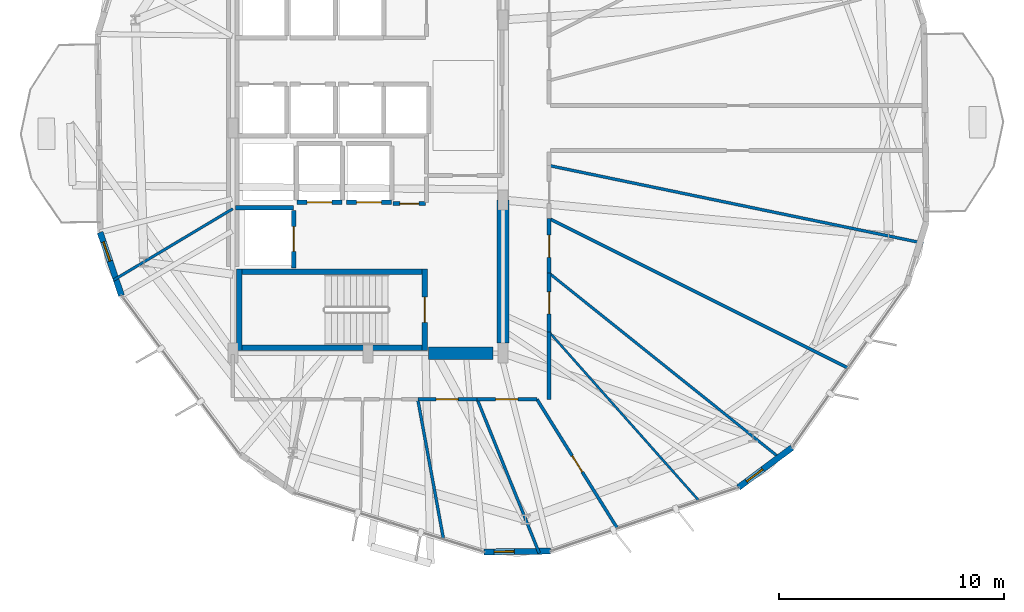
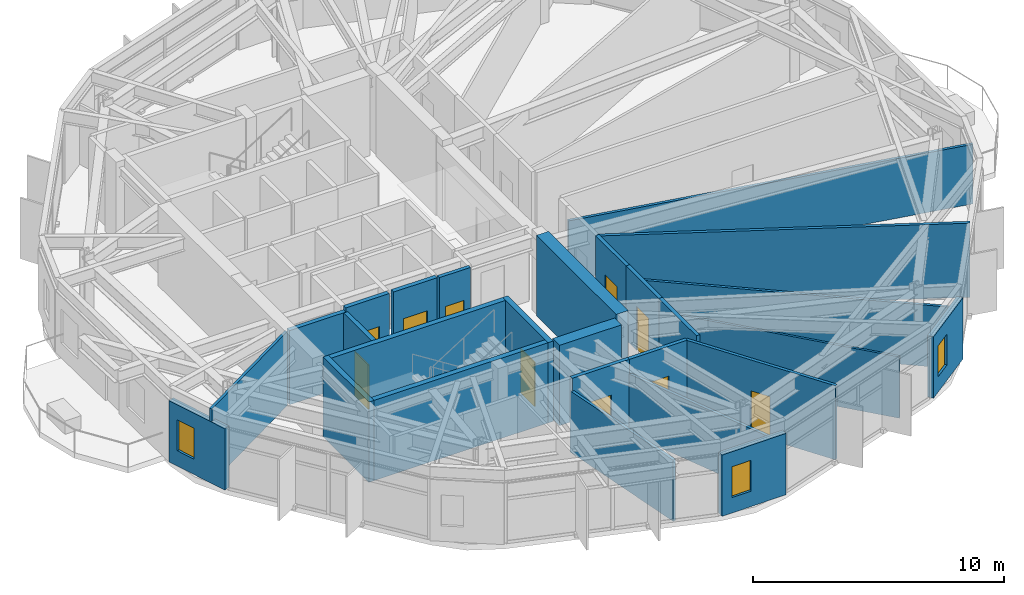
# One storey, part 19 of 25: 27 walls, 10 doors, 3 windows, 13 openings.
"""IFC4 building model written with IfcOpenShell, lengths in metres."""

from ifc_helpers import new_model, si_unit, direction, frame, frame_2d, origin, place, context, subcontext, project, spatial, rectangle, extrude, material, layer, layer_set, type_object, element, fill, save


model = new_model("IFC4")

# Units and contexts
model_context = context("Model", 3, precision=1e-05, world=origin(), true_north=direction((0.0, 1.0)))
body_context = subcontext(model_context, "Body", "Model", "MODEL_VIEW")
ifc_project = project(units=[si_unit("LENGTHUNIT", "METRE"), si_unit("AREAUNIT", "SQUARE_METRE"), si_unit("VOLUMEUNIT", "CUBIC_METRE"), si_unit("PLANEANGLEUNIT", "RADIAN"), si_unit("MASSUNIT", "GRAM", prefix="KILO")], contexts=[model_context])

# Site, building, storey
site_placement = place(None, origin())
site = spatial("IfcSite", under=ifc_project, at=site_placement, CompositionType="ELEMENT")
building_placement = place(site_placement, origin())
building = spatial("IfcBuilding", under=site, at=building_placement, Name="Soratama Intermodal Tower", CompositionType="ELEMENT")
storey_placement = place(building_placement, frame((0.0, 0.0, 106.89990234375)))
storey = spatial("IfcBuildingStorey", under=building, at=storey_placement, Name="L25", CompositionType="ELEMENT", Elevation=106.89990234375)

# Wall, opening, window
ifc_material_1 = material(Name="Concrete f'c 42 MPa", Category="concrete")
ifc_layer_1 = layer(ifc_material_1, 0.27001953125)
ifc_layer_set_1 = layer_set([ifc_layer_1], Name="Concrete f'c 42 MPa")
wall_type_1 = type_object("IfcWallType", Name="EW-CRN-270", PredefinedType="SOLIDWALL", material=ifc_layer_set_1)
wall_1_placement = place(storey_placement, frame((26.704833984375, 20.366455078125, 0.0), z_axis=(0.0, 0.0, 1.0), x_axis=(0.320964212706, -0.947091323032, 0.0)))
wall_1 = element("IfcWall", 1, at=wall_1_placement, inside=storey, type_object=wall_type_1, Name="L25 Corner Closure Wall 05", PredefinedType="SOLIDWALL", context=body_context, shape_type="SweptSolid", body=[
    extrude(rectangle(XDim=2.966552734375, YDim=0.27001953125, at=frame_2d((1.4833984375, 0.0))), origin(), (0.0, 0.0, 1.0), 2.97900390625),
])
opening_1_placement = place(wall_1_placement, frame((0.449951171875, 0.0, 0.75)))
opening_1 = element("IfcOpeningElement", 2, at=opening_1_placement, cuts=wall_1, Name="Opening WN-6", PredefinedType="OPENING", context=body_context, shape_type="SweptSolid", body=[
    extrude(rectangle(XDim=0.89990234375, YDim=1.5, at=frame_2d((0.449951171875, 0.75))), frame((0.0, 0.14501953125, 0.0), z_axis=(0.0, -1.0, 0.0), x_axis=(1.0, 0.0, 0.0)), (0.0, 0.0, 1.0), 0.2900390625),
])
ifc_material_2 = material(Name="Double-glazed aluminium window", Category="aluminium")
window_type = type_object("IfcWindowType", Name="WN-FAC-900", PartitioningType="SINGLE_PANEL", PredefinedType="WINDOW", material=ifc_material_2)
window_1_placement = place(opening_1_placement, origin())
window_1 = element("IfcWindow", 3, at=window_1_placement, inside=storey, type_object=window_type, Name="L25 Corner Window 05", OverallHeight=1.5, OverallWidth=0.89990234375, PartitioningType="SINGLE_PANEL", PredefinedType="WINDOW", context=body_context, shape_type="SweptSolid", body=[
    extrude(rectangle(XDim=0.89990234375, YDim=1.5, at=frame_2d((0.449951171875, 0.75))), frame((0.0, 0.030029296875, 0.0), z_axis=(0.0, -1.0, 0.0), x_axis=(1.0, 0.0, 0.0)), (0.0, 0.0, 1.0), 0.06005859375),
])
fill(opening_1, window_1)

wall_2_placement = place(storey_placement, frame((43.75341796875, 6.16845703125, 0.0), z_axis=(0.0, 0.0, 1.0), x_axis=(0.999920709684, 0.012592630552, 0.0)))
wall_2 = element("IfcWall", 4, at=wall_2_placement, inside=storey, type_object=wall_type_1, Name="L25 Corner Closure Wall 07", PredefinedType="SOLIDWALL", context=body_context, shape_type="SweptSolid", body=[
    extrude(rectangle(XDim=2.96630859375, YDim=0.27001953125, at=frame_2d((1.483154296875, 0.0))), origin(), (0.0, 0.0, 1.0), 2.97900390625),
])
opening_2_placement = place(wall_2_placement, frame((0.449951171875, 0.0, 0.75)))
opening_2 = element("IfcOpeningElement", 5, at=opening_2_placement, cuts=wall_2, Name="Opening WN-6", PredefinedType="OPENING", context=body_context, shape_type="SweptSolid", body=[
    extrude(rectangle(XDim=0.89990234375, YDim=1.5, at=frame_2d((0.449951171875, 0.75))), frame((0.0, 0.14501953125, 0.0), z_axis=(0.0, -1.0, 0.0), x_axis=(1.0, 0.0, 0.0)), (0.0, 0.0, 1.0), 0.2900390625),
])
window_2_placement = place(opening_2_placement, origin())
window_2 = element("IfcWindow", 6, at=window_2_placement, inside=storey, type_object=window_type, Name="L25 Corner Window 07", OverallHeight=1.5, OverallWidth=0.89990234375, PartitioningType="SINGLE_PANEL", PredefinedType="WINDOW", context=body_context, shape_type="SweptSolid", body=[
    extrude(rectangle(XDim=0.89990234375, YDim=1.5, at=frame_2d((0.449951171875, 0.75))), frame((0.0, 0.030029296875, 0.0), z_axis=(0.0, -1.0, 0.0), x_axis=(1.0, 0.0, 0.0)), (0.0, 0.0, 1.0), 0.06005859375),
])
fill(opening_2, window_2)

wall_3_placement = place(storey_placement, frame((55.060302734375, 9.0322265625, 0.0), z_axis=(0.0, 0.0, 1.0), x_axis=(0.801547915112, 0.597930547622, 0.0)))
wall_3 = element("IfcWall", 7, at=wall_3_placement, inside=storey, type_object=wall_type_1, Name="L25 Corner Closure Wall 08", PredefinedType="SOLIDWALL", context=body_context, shape_type="SweptSolid", body=[
    extrude(rectangle(XDim=2.96630859375, YDim=0.27001953125, at=frame_2d((1.483154296875, 0.0))), origin(), (0.0, 0.0, 1.0), 2.97900390625),
])
opening_3_placement = place(wall_3_placement, frame((0.449951171875, 0.0, 0.75)))
opening_3 = element("IfcOpeningElement", 8, at=opening_3_placement, cuts=wall_3, Name="Opening WN-6", PredefinedType="OPENING", context=body_context, shape_type="SweptSolid", body=[
    extrude(rectangle(XDim=0.89990234375, YDim=1.5, at=frame_2d((0.449951171875, 0.75))), frame((0.0, 0.14501953125, 0.0), z_axis=(0.0, -1.0, 0.0), x_axis=(1.0, 0.0, 0.0)), (0.0, 0.0, 1.0), 0.2900390625),
])
window_3_placement = place(opening_3_placement, origin())
window_3 = element("IfcWindow", 9, at=window_3_placement, inside=storey, type_object=window_type, Name="L25 Corner Window 08", OverallHeight=1.5, OverallWidth=0.89990234375, PartitioningType="SINGLE_PANEL", PredefinedType="WINDOW", context=body_context, shape_type="SweptSolid", body=[
    extrude(rectangle(XDim=0.89990234375, YDim=1.5, at=frame_2d((0.449951171875, 0.75))), frame((0.0, 0.030029296875, 0.0), z_axis=(0.0, -1.0, 0.0), x_axis=(1.0, 0.0, 0.0)), (0.0, 0.0, 1.0), 0.06005859375),
])
fill(opening_3, window_3)

# Wall, opening, door
ifc_material_3 = material(Name="Fire-rated gypsum stud partition", Category="concrete")
ifc_layer_2 = layer(ifc_material_3, 0.169921875)
ifc_layer_set_2 = layer_set([ifc_layer_2], Name="Fire-rated gypsum stud partition")
wall_type_2 = type_object("IfcWallType", Name="IW-PART-R170", PredefinedType="PARTITIONING", material=ifc_layer_set_2)
wall_4_placement = place(storey_placement, frame((46.10791015625, 12.949951171875, 0.0), z_axis=(0.0, 0.0, 1.0), x_axis=(-1.0, 0.0, 0.0)))
wall_4 = element("IfcWall", 10, at=wall_4_placement, inside=storey, type_object=wall_type_2, Name="L25 Partition W-L25-TP026", PredefinedType="PARTITIONING", context=body_context, shape_type="SweptSolid", body=[
    extrude(rectangle(XDim=2.65283203125, YDim=0.169921875, at=frame_2d((1.326416015625, 0.0))), origin(), (0.0, 0.0, 1.0), 3.60009765625),
])
opening_4_placement = place(wall_4_placement, frame((0.85107421875, 0.0, 0.0)))
opening_4 = element("IfcOpeningElement", 11, at=opening_4_placement, cuts=wall_4, Name="Opening ID-5", PredefinedType="OPENING", context=body_context, shape_type="SweptSolid", body=[
    extrude(rectangle(XDim=0.97998046875, YDim=2.14990234375, at=frame_2d((0.489990234375, 1.074951171875))), frame((0.0, 0.094970703125, 0.0), z_axis=(0.0, -1.0, 0.0), x_axis=(1.0, 0.0, 0.0)), (0.0, 0.0, 1.0), 0.18994140625),
])
ifc_material_4 = material(Name="Solid hardwood acoustic door", Category="wood")
door_type_1 = type_object("IfcDoorType", Name="DR-OFF-980", OperationType="NOTDEFINED", PredefinedType="DOOR", material=ifc_material_4)
door_1_placement = place(opening_4_placement, origin())
door_1 = element("IfcDoor", 12, at=door_1_placement, inside=storey, type_object=door_type_1, Name="L25 Door D-L25-TP010", OperationType="SINGLE_SWING_LEFT", OverallHeight=2.14990234375, OverallWidth=0.97998046875, PredefinedType="DOOR", context=body_context, shape_type="SweptSolid", body=[
    extrude(rectangle(XDim=0.97998046875, YDim=2.14990234375, at=frame_2d((0.489990234375, 1.074951171875))), frame((0.0, 0.02490234375, 0.0), z_axis=(0.0, -1.0, 0.0), x_axis=(1.0, 0.0, 0.0)), (0.0, 0.0, 1.0), 0.050048828125),
])
fill(opening_4, door_1)

wall_5_placement = place(storey_placement, frame((43.455078125, 12.949951171875, 0.0), z_axis=(0.0, 0.0, 1.0), x_axis=(-1.0, 0.0, 0.0)))
wall_5 = element("IfcWall", 13, at=wall_5_placement, inside=storey, type_object=wall_type_2, Name="L25 Partition W-L25-TP027", PredefinedType="PARTITIONING", context=body_context, shape_type="SweptSolid", body=[
    extrude(rectangle(XDim=2.64013671875, YDim=0.169921875, at=frame_2d((1.320068359375, 0.0))), origin(), (0.0, 0.0, 1.0), 3.60009765625),
])
opening_5_placement = place(wall_5_placement, frame((0.844970703125, 0.0, 0.0)))
opening_5 = element("IfcOpeningElement", 14, at=opening_5_placement, cuts=wall_5, Name="Opening ID-5", PredefinedType="OPENING", context=body_context, shape_type="SweptSolid", body=[
    extrude(rectangle(XDim=0.97998046875, YDim=2.14990234375, at=frame_2d((0.489990234375, 1.074951171875))), frame((0.0, 0.094970703125, 0.0), z_axis=(0.0, -1.0, 0.0), x_axis=(1.0, 0.0, 0.0)), (0.0, 0.0, 1.0), 0.18994140625),
])
door_2_placement = place(opening_5_placement, origin())
door_2 = element("IfcDoor", 15, at=door_2_placement, inside=storey, type_object=door_type_1, Name="L25 Door D-L25-TP011", OperationType="SINGLE_SWING_RIGHT", OverallHeight=2.14990234375, OverallWidth=0.97998046875, PredefinedType="DOOR", context=body_context, shape_type="SweptSolid", body=[
    extrude(rectangle(XDim=0.97998046875, YDim=2.14990234375, at=frame_2d((0.489990234375, 1.074951171875))), frame((0.0, 0.02490234375, 0.0), z_axis=(0.0, -1.0, 0.0), x_axis=(1.0, 0.0, 0.0)), (0.0, 0.0, 1.0), 0.050048828125),
])
fill(opening_5, door_2)

wall_6_placement = place(storey_placement, frame((46.64990234375, 18.550048828125, 0.0), z_axis=(0.0, 0.0, 1.0), x_axis=(0.0, -1.0, 0.0)))
wall_6 = element("IfcWall", 16, at=wall_6_placement, inside=storey, type_object=wall_type_2, Name="L25 Partition W-L25-TP028", PredefinedType="PARTITIONING", context=body_context, shape_type="SweptSolid", body=[
    extrude(rectangle(XDim=2.614013671875, YDim=0.169921875, at=frame_2d((1.30712890625, 0.0))), origin(), (0.0, 0.0, 1.0), 3.60009765625),
])
opening_6_placement = place(wall_6_placement, frame((0.83203125, 0.0, 0.0)))
opening_6 = element("IfcOpeningElement", 17, at=opening_6_placement, cuts=wall_6, Name="Opening ID-5", PredefinedType="OPENING", context=body_context, shape_type="SweptSolid", body=[
    extrude(rectangle(XDim=0.97998046875, YDim=2.14990234375, at=frame_2d((0.489990234375, 1.074951171875))), frame((0.0, 0.094970703125, 0.0), z_axis=(0.0, -1.0, 0.0), x_axis=(1.0, 0.0, 0.0)), (0.0, 0.0, 1.0), 0.18994140625),
])
door_3_placement = place(opening_6_placement, origin())
door_3 = element("IfcDoor", 18, at=door_3_placement, inside=storey, type_object=door_type_1, Name="L25 Door D-L25-TP012", OperationType="SINGLE_SWING_LEFT", OverallHeight=2.14990234375, OverallWidth=0.97998046875, PredefinedType="DOOR", context=body_context, shape_type="SweptSolid", body=[
    extrude(rectangle(XDim=0.97998046875, YDim=2.14990234375, at=frame_2d((0.489990234375, 1.074951171875))), frame((0.0, 0.02490234375, 0.0), z_axis=(0.0, -1.0, 0.0), x_axis=(1.0, 0.0, 0.0)), (0.0, 0.0, 1.0), 0.050048828125),
])
fill(opening_6, door_3)

wall_7_placement = place(storey_placement, frame((46.64990234375, 20.97509765625, 0.0), z_axis=(0.0, 0.0, 1.0), x_axis=(0.0, -1.0, 0.0)))
wall_7 = element("IfcWall", 19, at=wall_7_placement, inside=storey, type_object=wall_type_2, Name="L25 Partition W-L25-TP030", PredefinedType="PARTITIONING", context=body_context, shape_type="SweptSolid", body=[
    extrude(rectangle(XDim=2.425048828125, YDim=0.169921875, at=frame_2d((1.21240234375, 0.0))), origin(), (0.0, 0.0, 1.0), 3.60009765625),
])
opening_7_placement = place(wall_7_placement, frame((0.738037109375, 0.0, 0.0)))
opening_7 = element("IfcOpeningElement", 20, at=opening_7_placement, cuts=wall_7, Name="Opening ID-5", PredefinedType="OPENING", context=body_context, shape_type="SweptSolid", body=[
    extrude(rectangle(XDim=0.97998046875, YDim=2.14990234375, at=frame_2d((0.489990234375, 1.074951171875))), frame((0.0, 0.094970703125, 0.0), z_axis=(0.0, -1.0, 0.0), x_axis=(1.0, 0.0, 0.0)), (0.0, 0.0, 1.0), 0.18994140625),
])
door_4_placement = place(opening_7_placement, origin())
door_4 = element("IfcDoor", 21, at=door_4_placement, inside=storey, type_object=door_type_1, Name="L25 Door D-L25-TP014", OperationType="SINGLE_SWING_LEFT", OverallHeight=2.14990234375, OverallWidth=0.97998046875, PredefinedType="DOOR", context=body_context, shape_type="SweptSolid", body=[
    extrude(rectangle(XDim=0.97998046875, YDim=2.14990234375, at=frame_2d((0.489990234375, 1.074951171875))), frame((0.0, 0.02490234375, 0.0), z_axis=(0.0, -1.0, 0.0), x_axis=(1.0, 0.0, 0.0)), (0.0, 0.0, 1.0), 0.050048828125),
])
fill(opening_7, door_4)

wall_8_placement = place(storey_placement, frame((39.719970703125, 21.639892578125, 0.0), z_axis=(0.0, 0.0, 1.0), x_axis=(1.0, 0.0, 0.0)))
wall_8 = element("IfcWall", 22, at=wall_8_placement, inside=storey, type_object=wall_type_2, Name="L25 Partition W-L25-TP040", PredefinedType="PARTITIONING", context=body_context, shape_type="SweptSolid", body=[
    extrude(rectangle(XDim=1.43994140625, YDim=0.169921875, at=frame_2d((0.719970703125, 0.0))), origin(), (0.0, 0.0, 1.0), 3.60009765625),
])
opening_8_placement = place(wall_8_placement, frame((0.294921875, 0.0, 0.0)))
opening_8 = element("IfcOpeningElement", 23, at=opening_8_placement, cuts=wall_8, Name="Opening ID-4", PredefinedType="OPENING", context=body_context, shape_type="SweptSolid", body=[
    extrude(rectangle(XDim=0.85009765625, YDim=2.10009765625, at=frame_2d((0.425048828125, 1.050048828125))), frame((0.0, 0.094970703125, 0.0), z_axis=(0.0, -1.0, 0.0), x_axis=(1.0, 0.0, 0.0)), (0.0, 0.0, 1.0), 0.18994140625),
])
ifc_material_5 = material(Name="Solid hardwood acoustic door", Category="wood")
door_type_2 = type_object("IfcDoorType", Name="DR-BATH-850", OperationType="NOTDEFINED", PredefinedType="DOOR", material=ifc_material_5)
door_5_placement = place(opening_8_placement, origin())
door_5 = element("IfcDoor", 24, at=door_5_placement, inside=storey, type_object=door_type_2, Name="L25 Door D-L25-TP020", OperationType="SINGLE_SWING_LEFT", OverallHeight=2.10009765625, OverallWidth=0.85009765625, PredefinedType="DOOR", context=body_context, shape_type="SweptSolid", body=[
    extrude(rectangle(XDim=0.85009765625, YDim=2.10009765625, at=frame_2d((0.425048828125, 1.050048828125))), frame((0.0, 0.02490234375, 0.0), z_axis=(0.0, -1.0, 0.0), x_axis=(1.0, 0.0, 0.0)), (0.0, 0.0, 1.0), 0.050048828125),
])
fill(opening_8, door_5)

# Walls
wall_9_placement = place(storey_placement, frame((46.64990234375, 15.93603515625, 0.0), z_axis=(0.0, 0.0, 1.0), x_axis=(0.0, -1.0, 0.0)))
element("IfcWall", 25, at=wall_9_placement, inside=storey, type_object=wall_type_2, Name="L25 Partition W-L25-TP044", PredefinedType="PARTITIONING", context=body_context, shape_type="SweptSolid", body=[
    extrude(rectangle(XDim=2.986083984375, YDim=0.169921875, at=frame_2d((1.4931640625, 0.0))), origin(), (0.0, 0.0, 1.0), 3.60009765625),
])
ifc_material_6 = material(Name="Fire-rated gypsum stud partition", Category="concrete")
ifc_layer_3 = layer(ifc_material_6, 0.10009765625)
ifc_layer_set_3 = layer_set([ifc_layer_3], Name="Fire-rated gypsum stud partition")
wall_type_3 = type_object("IfcWallType", Name="IW-PART-S100", PredefinedType="PARTITIONING", material=ifc_layer_set_3)
wall_10_placement = place(storey_placement, frame((46.64990234375, 15.93603515625, 0.0), z_axis=(0.0, 0.0, 1.0), x_axis=(0.66409177884, -0.747651061176, 0.0)))
element("IfcWall", 26, at=wall_10_placement, inside=storey, type_object=wall_type_3, Name="L25 Partition W-L25-TP009", PredefinedType="PARTITIONING", context=body_context, shape_type="SweptSolid", body=[
    extrude(rectangle(XDim=10.027587890625, YDim=0.10009765625, at=frame_2d((5.013671875, 0.0))), origin(), (0.0, 0.0, 1.0), 2.97802734375),
])
ifc_material_7 = material(Name="Fire-rated gypsum stud partition", Category="concrete")
ifc_layer_4 = layer(ifc_material_7, 0.1201171875)
ifc_layer_set_4 = layer_set([ifc_layer_4], Name="Fire-rated gypsum stud partition")
wall_type_4 = type_object("IfcWallType", Name="IW-PART-S120", PredefinedType="PARTITIONING", material=ifc_layer_set_4)
wall_11_placement = place(storey_placement, frame((46.64990234375, 18.550048828125, 0.0), z_axis=(0.0, 0.0, 1.0), x_axis=(0.780391932211, -0.625290678117, 0.0)))
element("IfcWall", 27, at=wall_11_placement, inside=storey, type_object=wall_type_4, Name="L25 Partition W-L25-TP007", PredefinedType="PARTITIONING", context=body_context, shape_type="SweptSolid", body=[
    extrude(rectangle(XDim=13.1923828125, YDim=0.1201171875, at=frame_2d((6.59619140625, 0.0))), origin(), (0.0, 0.0, 1.0), 2.97802734375),
])
wall_12_placement = place(storey_placement, frame((32.60009765625, 21.410888671875, 0.0), z_axis=(0.0, 0.0, 1.0), x_axis=(-0.858297424283, -0.513152542105, 0.0)))
element("IfcWall", 28, at=wall_12_placement, inside=storey, type_object=wall_type_4, Name="L25 Partition W-L25-TP017", PredefinedType="PARTITIONING", context=body_context, shape_type="SweptSolid", body=[
    extrude(rectangle(XDim=6.17724609375, YDim=0.1201171875, at=frame_2d((3.088623046875, 0.0))), origin(), (0.0, 0.0, 1.0), 3.60009765625),
])
ifc_material_8 = material(Name="Fire-rated gypsum stud partition", Category="concrete")
ifc_layer_5 = layer(ifc_material_8, 0.1298828125)
ifc_layer_set_5 = layer_set([ifc_layer_5], Name="Fire-rated gypsum stud partition")
wall_type_5 = type_object("IfcWallType", Name="IW-PART-S130", PredefinedType="PARTITIONING", material=ifc_layer_set_5)
wall_13_placement = place(storey_placement, frame((46.64990234375, 23.330078125, 0.0), z_axis=(0.0, 0.0, 1.0), x_axis=(0.979169088459, -0.203046537045, 0.0)))
element("IfcWall", 29, at=wall_13_placement, inside=storey, type_object=wall_type_5, Name="L25 Partition W-L25-TP001", PredefinedType="PARTITIONING", context=body_context, shape_type="SweptSolid", body=[
    extrude(rectangle(XDim=16.9716796875, YDim=0.1298828125, at=frame_2d((8.48583984375, 0.0))), origin(), (0.0, 0.0, 1.0), 2.89501953125),
])
wall_14_placement = place(storey_placement, frame((43.455078125, 12.949951171875, 0.0), z_axis=(0.0, 0.0, 1.0), x_axis=(0.373857978329, -0.927485963258, 0.0)))
element("IfcWall", 30, at=wall_14_placement, inside=storey, type_object=wall_type_5, Name="L25 Partition W-L25-TP011", PredefinedType="PARTITIONING", context=body_context, shape_type="SweptSolid", body=[
    extrude(rectangle(XDim=7.3662109375, YDim=0.1298828125, at=frame_2d((3.68310546875, 0.0))), origin(), (0.0, 0.0, 1.0), 2.89501953125),
])
wall_15_placement = place(storey_placement, frame((40.81494140625, 12.949951171875, 0.0), z_axis=(0.0, 0.0, 1.0), x_axis=(0.180813774755, -0.983517350563, 0.0)))
element("IfcWall", 31, at=wall_15_placement, inside=storey, type_object=wall_type_5, Name="L25 Partition W-L25-TP016", PredefinedType="PARTITIONING", context=body_context, shape_type="SweptSolid", body=[
    extrude(rectangle(XDim=6.3271484375, YDim=0.1298828125, at=frame_2d((3.16357421875, 0.0))), origin(), (0.0, 0.0, 1.0), 2.97412109375),
])
ifc_material_9 = material(Name="Fire-rated gypsum stud partition", Category="concrete")
ifc_layer_6 = layer(ifc_material_9, 0.139892578125)
ifc_layer_set_6 = layer_set([ifc_layer_6], Name="Fire-rated gypsum stud partition")
wall_type_6 = type_object("IfcWallType", Name="IW-PART-S140", PredefinedType="PARTITIONING", material=ifc_layer_set_6)
wall_16_placement = place(storey_placement, frame((46.64990234375, 20.97509765625, 0.0), z_axis=(0.0, 0.0, 1.0), x_axis=(0.894492933533, -0.447082086266, 0.0)))
element("IfcWall", 32, at=wall_16_placement, inside=storey, type_object=wall_type_6, Name="L25 Partition W-L25-TP005", PredefinedType="PARTITIONING", context=body_context, shape_type="SweptSolid", body=[
    extrude(rectangle(XDim=14.85205078125, YDim=0.139892578125, at=frame_2d((7.426025390625, 0.0))), origin(), (0.0, 0.0, 1.0), 3.60009765625),
])

# Wall, opening, door
wall_17_placement = place(storey_placement, frame((46.10791015625, 12.949951171875, 0.0), z_axis=(0.0, 0.0, 1.0), x_axis=(0.528794527815, -0.848749873256, 0.0)))
wall_17 = element("IfcWall", 33, at=wall_17_placement, inside=storey, type_object=wall_type_6, Name="L25 Partition W-L25-TP015", PredefinedType="PARTITIONING", context=body_context, shape_type="SweptSolid", body=[
    extrude(rectangle(XDim=6.762939453125, YDim=0.139892578125, at=frame_2d((3.38134765625, 0.0))), origin(), (0.0, 0.0, 1.0), 3.60009765625),
])
opening_9_placement = place(wall_17_placement, frame((2.9560546875, 0.0, 0.0)))
opening_9 = element("IfcOpeningElement", 34, at=opening_9_placement, cuts=wall_17, Name="Opening ID-4", PredefinedType="OPENING", context=body_context, shape_type="SweptSolid", body=[
    extrude(rectangle(XDim=0.85009765625, YDim=2.10009765625, at=frame_2d((0.425048828125, 1.050048828125))), frame((0.0, 0.079833984375, 0.0), z_axis=(0.0, -1.0, 0.0), x_axis=(1.0, 0.0, 0.0)), (0.0, 0.0, 1.0), 0.159912109375),
])
door_6_placement = place(opening_9_placement, origin())
door_6 = element("IfcDoor", 35, at=door_6_placement, inside=storey, type_object=door_type_2, Name="L25 Door D-L25-TP021", OperationType="SINGLE_SWING_LEFT", OverallHeight=2.10009765625, OverallWidth=0.85009765625, PredefinedType="DOOR", context=body_context, shape_type="SweptSolid", body=[
    extrude(rectangle(XDim=0.85009765625, YDim=2.10009765625, at=frame_2d((0.425048828125, 1.050048828125))), frame((0.0, 0.02490234375, 0.0), z_axis=(0.0, -1.0, 0.0), x_axis=(1.0, 0.0, 0.0)), (0.0, 0.0, 1.0), 0.050048828125),
])
fill(opening_9, door_6)

ifc_material_10 = material(Name="Concrete f'c 42 MPa", Category="concrete")
ifc_layer_7 = layer(ifc_material_10, 0.199951171875)
ifc_layer_set_7 = layer_set([ifc_layer_7], Name="Concrete f'c 42 MPa")
wall_type_7 = type_object("IfcWallType", Name="IW-SHAFT-200", PredefinedType="SOLIDWALL", material=ifc_layer_set_7)
wall_18_placement = place(storey_placement, frame((35.449951171875, 21.699951171875, 0.0), z_axis=(0.0, 0.0, 1.0), x_axis=(1.0, 0.0, 0.0)))
wall_18 = element("IfcWall", 36, at=wall_18_placement, inside=storey, type_object=wall_type_7, Name="L25 FFL-1 Hoistway Wall S", PredefinedType="SOLIDWALL", context=body_context, shape_type="SweptSolid", body=[
    extrude(rectangle(XDim=2.0, YDim=0.199951171875, at=frame_2d((1.0, 0.0))), origin(), (0.0, 0.0, 1.0), 3.60009765625),
])
opening_10_placement = place(wall_18_placement, frame((0.449951171875, 0.0, 0.0)))
opening_10 = element("IfcOpeningElement", 37, at=opening_10_placement, cuts=wall_18, Name="Opening LD-1", PredefinedType="OPENING", context=body_context, shape_type="SweptSolid", body=[
    extrude(rectangle(XDim=1.10009765625, YDim=2.14990234375, at=frame_2d((0.550048828125, 1.074951171875))), frame((0.0, 0.10986328125, 0.0), z_axis=(0.0, -1.0, 0.0), x_axis=(1.0, 0.0, 0.0)), (0.0, 0.0, 1.0), 0.219970703125),
])
ifc_material_11 = material(Name="Steel fire door", Category="steel")
door_type_3 = type_object("IfcDoorType", Name="DR-LIFT-SLIDE", OperationType="NOTDEFINED", PredefinedType="DOOR", material=ifc_material_11)
door_7_placement = place(opening_10_placement, origin())
door_7 = element("IfcDoor", 38, at=door_7_placement, inside=storey, type_object=door_type_3, Name="L25 FFL-1 Sliding Landing Door", OperationType="SLIDING_TO_LEFT", OverallHeight=2.14990234375, OverallWidth=1.10009765625, PredefinedType="DOOR", context=body_context, shape_type="SweptSolid", body=[
    extrude(rectangle(XDim=1.10009765625, YDim=2.14990234375, at=frame_2d((0.550048828125, 1.074951171875))), frame((0.0, 0.02490234375, 0.0), z_axis=(0.0, -1.0, 0.0), x_axis=(1.0, 0.0, 0.0)), (0.0, 0.0, 1.0), 0.050048828125),
])
fill(opening_10, door_7)

wall_19_placement = place(storey_placement, frame((37.64990234375, 21.699951171875, 0.0), z_axis=(0.0, 0.0, 1.0), x_axis=(1.0, 0.0, 0.0)))
wall_19 = element("IfcWall", 39, at=wall_19_placement, inside=storey, type_object=wall_type_7, Name="L25 FFL-2 Hoistway Wall S", PredefinedType="SOLIDWALL", context=body_context, shape_type="SweptSolid", body=[
    extrude(rectangle(XDim=2.0, YDim=0.199951171875, at=frame_2d((1.0, 0.0))), origin(), (0.0, 0.0, 1.0), 3.60009765625),
])
opening_11_placement = place(wall_19_placement, frame((0.449951171875, 0.0, 0.0)))
opening_11 = element("IfcOpeningElement", 40, at=opening_11_placement, cuts=wall_19, Name="Opening LD-1", PredefinedType="OPENING", context=body_context, shape_type="SweptSolid", body=[
    extrude(rectangle(XDim=1.10009765625, YDim=2.14990234375, at=frame_2d((0.550048828125, 1.074951171875))), frame((0.0, 0.10986328125, 0.0), z_axis=(0.0, -1.0, 0.0), x_axis=(1.0, 0.0, 0.0)), (0.0, 0.0, 1.0), 0.219970703125),
])
door_8_placement = place(opening_11_placement, origin())
door_8 = element("IfcDoor", 41, at=door_8_placement, inside=storey, type_object=door_type_3, Name="L25 FFL-2 Sliding Landing Door", OperationType="SLIDING_TO_LEFT", OverallHeight=2.14990234375, OverallWidth=1.10009765625, PredefinedType="DOOR", context=body_context, shape_type="SweptSolid", body=[
    extrude(rectangle(XDim=1.10009765625, YDim=2.14990234375, at=frame_2d((0.550048828125, 1.074951171875))), frame((0.0, 0.02490234375, 0.0), z_axis=(0.0, -1.0, 0.0), x_axis=(1.0, 0.0, 0.0)), (0.0, 0.0, 1.0), 0.050048828125),
])
fill(opening_11, door_8)

# Wall
wall_20_placement = place(storey_placement, frame((32.719970703125, 21.449951171875, 0.0), z_axis=(0.0, 0.0, 1.0), x_axis=(1.0, 0.0, 0.0)))
element("IfcWall", 42, at=wall_20_placement, inside=storey, type_object=wall_type_7, Name="L25 SVL-1 Hoistway Wall N", PredefinedType="SOLIDWALL", context=body_context, shape_type="SweptSolid", body=[
    extrude(rectangle(XDim=2.580078125, YDim=0.199951171875, at=frame_2d((1.2900390625, 0.0))), origin(), (0.0, 0.0, 1.0), 3.60009765625),
])

# Wall, opening, door
wall_21_placement = place(storey_placement, frame((35.300048828125, 18.7900390625, 0.0), z_axis=(0.0, 0.0, 1.0), x_axis=(0.0, 1.0, 0.0)))
wall_21 = element("IfcWall", 43, at=wall_21_placement, inside=storey, type_object=wall_type_7, Name="L25 SVL-1 Hoistway Wall E", PredefinedType="SOLIDWALL", context=body_context, shape_type="SweptSolid", body=[
    extrude(rectangle(XDim=2.550048828125, YDim=0.199951171875, at=frame_2d((1.27490234375, 0.0))), origin(), (0.0, 0.0, 1.0), 3.60009765625),
])
opening_12_placement = place(wall_21_placement, frame((0.72509765625, 0.0, 0.0)))
opening_12 = element("IfcOpeningElement", 44, at=opening_12_placement, cuts=wall_21, Name="Opening LD-1", PredefinedType="OPENING", context=body_context, shape_type="SweptSolid", body=[
    extrude(rectangle(XDim=1.10009765625, YDim=2.14990234375, at=frame_2d((0.550048828125, 1.074951171875))), frame((0.0, 0.10986328125, 0.0), z_axis=(0.0, -1.0, 0.0), x_axis=(1.0, 0.0, 0.0)), (0.0, 0.0, 1.0), 0.219970703125),
])
door_9_placement = place(opening_12_placement, origin())
door_9 = element("IfcDoor", 45, at=door_9_placement, inside=storey, type_object=door_type_3, Name="L25 SVL-1 Sliding Landing Door", OperationType="SLIDING_TO_LEFT", OverallHeight=2.14990234375, OverallWidth=1.10009765625, PredefinedType="DOOR", context=body_context, shape_type="SweptSolid", body=[
    extrude(rectangle(XDim=1.10009765625, YDim=2.14990234375, at=frame_2d((0.550048828125, 1.074951171875))), frame((0.0, 0.02490234375, 0.0), z_axis=(0.0, -1.0, 0.0), x_axis=(1.0, 0.0, 0.0)), (0.0, 0.0, 1.0), 0.050048828125),
])
fill(opening_12, door_9)

# Walls
ifc_material_12 = material(Name="Concrete f'c 56 MPa", Category="concrete")
ifc_layer_8 = layer(ifc_material_12, 0.550048828125)
ifc_layer_set_8 = layer_set([ifc_layer_8], Name="Concrete f'c 56 MPa")
wall_type_8 = type_object("IfcWallType", Name="SW-CORE-550", PredefinedType="SHEAR", material=ifc_layer_set_8)
wall_22_placement = place(storey_placement, frame((41.300048828125, 15.0, 0.0), z_axis=(0.0, 0.0, 1.0), x_axis=(1.0, 0.0, 0.0)))
element("IfcWall", 46, at=wall_22_placement, inside=storey, type_object=wall_type_8, Name="L25 Core Shear Wall CW-SE", PredefinedType="SHEAR", context=body_context, shape_type="SweptSolid", body=[
    extrude(rectangle(XDim=2.849853515625, YDim=0.550048828125, at=frame_2d((1.4248046875, 0.0))), origin(), (0.0, 0.0, 1.0), 3.900146484375),
])
wall_23_placement = place(storey_placement, frame((44.60009765625, 15.449951171875, 0.0), z_axis=(0.0, 0.0, 1.0), x_axis=(0.0, 1.0, 0.0)))
element("IfcWall", 47, at=wall_23_placement, inside=storey, type_object=wall_type_8, Name="L25 Core Shear Wall CW-ES", PredefinedType="SHEAR", context=body_context, shape_type="SweptSolid", body=[
    extrude(rectangle(XDim=6.35009765625, YDim=0.550048828125, at=frame_2d((3.175048828125, 0.0))), origin(), (0.0, 0.0, 1.0), 3.900146484375),
])
ifc_material_13 = material(Name="Concrete f'c 56 MPa", Category="concrete")
ifc_layer_9 = layer(ifc_material_13, 0.239990234375)
ifc_layer_set_9 = layer_set([ifc_layer_9], Name="Concrete f'c 56 MPa")
wall_type_9 = type_object("IfcWallType", Name="SW-STAIR-240", PredefinedType="SHEAR", material=ifc_layer_set_9)
wall_24_placement = place(storey_placement, frame((32.8798828125, 15.110107421875, 0.0), z_axis=(0.0, 0.0, 1.0), x_axis=(0.0, 1.0, 0.0)))
element("IfcWall", 48, at=wall_24_placement, inside=storey, type_object=wall_type_9, Name="L25 ST-1 Shaft Shear Wall W", PredefinedType="SHEAR", context=body_context, shape_type="SweptSolid", body=[
    extrude(rectangle(XDim=3.6298828125, YDim=0.239990234375, at=frame_2d((1.81494140625, 0.0))), origin(), (0.0, 0.0, 1.0), 3.900146484375),
])

# Wall, opening, door
wall_25_placement = place(storey_placement, frame((41.1201171875, 15.110107421875, 0.0), z_axis=(0.0, 0.0, 1.0), x_axis=(0.0, 1.0, 0.0)))
wall_25 = element("IfcWall", 49, at=wall_25_placement, inside=storey, type_object=wall_type_9, Name="L25 ST-1 Shaft Shear Wall E", PredefinedType="SHEAR", context=body_context, shape_type="SweptSolid", body=[
    extrude(rectangle(XDim=3.6298828125, YDim=0.239990234375, at=frame_2d((1.81494140625, 0.0))), origin(), (0.0, 0.0, 1.0), 3.900146484375),
])
opening_13_placement = place(wall_25_placement, frame((1.2548828125, 0.0, 0.0)))
opening_13 = element("IfcOpeningElement", 50, at=opening_13_placement, cuts=wall_25, Name="Opening SD-1", PredefinedType="OPENING", context=body_context, shape_type="SweptSolid", body=[
    extrude(rectangle(XDim=1.1201171875, YDim=2.14990234375, at=frame_2d((0.56005859375, 1.074951171875))), frame((0.0, 0.1298828125, 0.0), z_axis=(0.0, -1.0, 0.0), x_axis=(1.0, 0.0, 0.0)), (0.0, 0.0, 1.0), 0.260009765625),
])
ifc_material_14 = material(Name="Steel fire door", Category="steel")
door_type_4 = type_object("IfcDoorType", Name="DR-STAIR-FD90", OperationType="NOTDEFINED", PredefinedType="DOOR", material=ifc_material_14)
door_10_placement = place(opening_13_placement, origin())
door_10 = element("IfcDoor", 51, at=door_10_placement, inside=storey, type_object=door_type_4, Name="L25 ST-1 Exit Stair Door", OperationType="SINGLE_SWING_LEFT", OverallHeight=2.14990234375, OverallWidth=1.1201171875, PredefinedType="DOOR", context=body_context, shape_type="SweptSolid", body=[
    extrude(rectangle(XDim=1.1201171875, YDim=2.14990234375, at=frame_2d((0.56005859375, 1.074951171875))), frame((0.0, 0.02490234375, 0.0), z_axis=(0.0, -1.0, 0.0), x_axis=(1.0, 0.0, 0.0)), (0.0, 0.0, 1.0), 0.050048828125),
])
fill(opening_13, door_10)

# Walls
for number, where, z_axis, x_axis, name in (
    (52, (33.0, 15.22998046875, 0.0), (0.0, 0.0, 1.0), (1.0, 0.0, 0.0), "L25 ST-1 Shaft Shear Wall S"),
    (53, (33.0, 18.6201171875, 0.0), (0.0, 0.0, 1.0), (1.0, 0.0, 0.0), "L25 ST-1 Shaft Shear Wall N"),
):
    element("IfcWall", number, at=place(storey_placement, frame(where, z_axis=z_axis, x_axis=x_axis)), inside=storey, type_object=wall_type_9, Name=name, PredefinedType="SHEAR", context=body_context, shape_type="SweptSolid", body=[
        extrude(rectangle(XDim=8.0, YDim=0.239990234375, at=frame_2d((4.0, 0.0))), origin(), (0.0, 0.0, 1.0), 3.900146484375),
    ])

save(model, "model.ifc")
